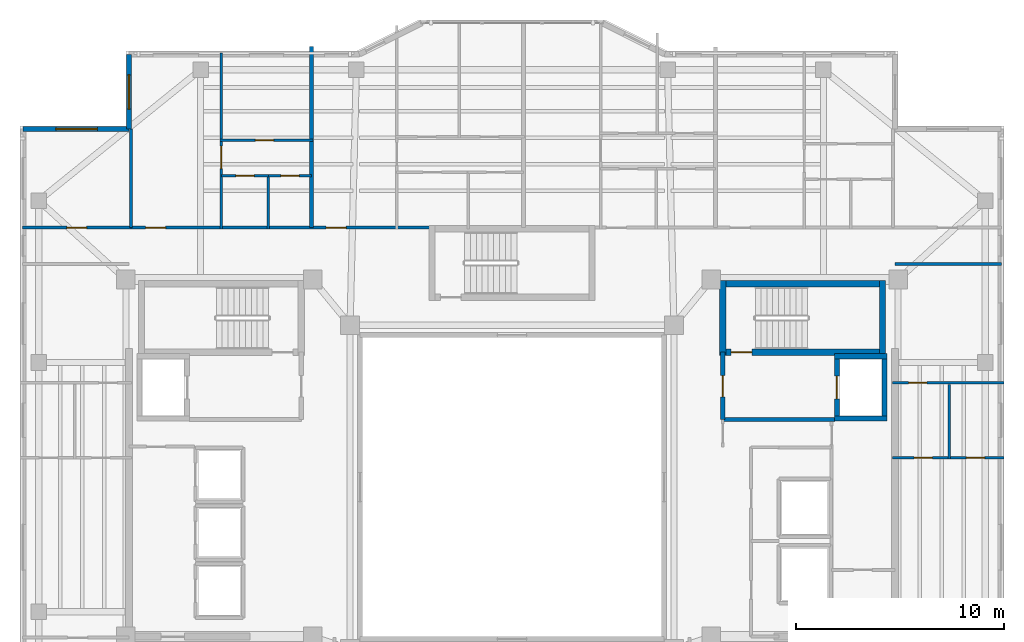
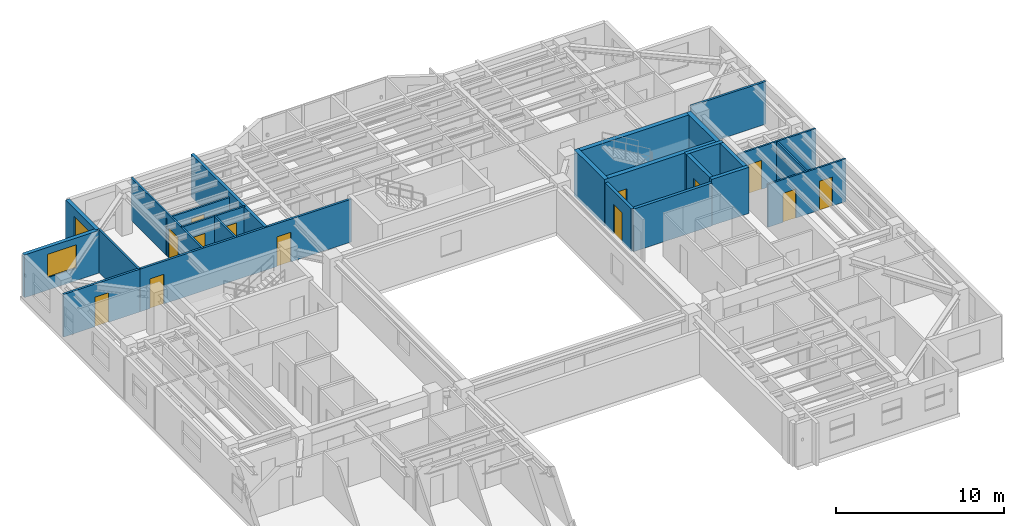
# One storey, part 7 of 12: 25 walls, 13 doors, 2 windows, 15 openings.
"""IFC4 building model written with IfcOpenShell, lengths in metres."""

from ifc_helpers import new_model, si_unit, direction, frame, frame_2d, origin, place, context, subcontext, project, spatial, rectangle, extrude, material, layer, layer_set, type_object, element, fill, save


model = new_model("IFC4")

# Units and contexts
model_context = context("Model", 3, precision=1e-05, world=origin(), true_north=direction((0.0, 1.0)))
body_context = subcontext(model_context, "Body", "Model", "MODEL_VIEW")
ifc_project = project(units=[si_unit("LENGTHUNIT", "METRE"), si_unit("AREAUNIT", "SQUARE_METRE"), si_unit("VOLUMEUNIT", "CUBIC_METRE"), si_unit("PLANEANGLEUNIT", "RADIAN"), si_unit("MASSUNIT", "GRAM", prefix="KILO")], contexts=[model_context])

# Site, building, storey
site_placement = place(None, origin())
site = spatial("IfcSite", under=ifc_project, at=site_placement, CompositionType="ELEMENT")
building_placement = place(site_placement, origin())
building = spatial("IfcBuilding", under=site, at=building_placement, Name="Tarnavaz Court Tower", CompositionType="ELEMENT")
storey_placement = place(building_placement, frame((0.0, 0.0, 203.64990234375)))
storey = spatial("IfcBuildingStorey", under=building, at=storey_placement, Name="L55", CompositionType="ELEMENT", Elevation=203.64990234375)

# Wall, opening, door
ifc_material_1 = material(Name="Concrete C50/60", Category="concrete")
ifc_layer_1 = layer(ifc_material_1, 0.25)
ifc_layer_set_1 = layer_set([ifc_layer_1], Name="Concrete C50/60")
wall_type_1 = type_object("IfcWallType", Name="WL-CORE-250-C50", PredefinedType="SHEAR", material=ifc_layer_set_1)
wall_1_placement = place(storey_placement, frame((15.64990234375, 3.175048828125, 0.0), z_axis=(0.0, 0.0, 1.0), x_axis=(0.0, 1.0, 0.0)))
wall_1 = element("IfcWall", 1, at=wall_1_placement, inside=storey, type_object=wall_type_1, Name="L55 Lift FL-E1 Shaft Wall 033", PredefinedType="SHEAR", context=body_context, shape_type="SweptSolid", body=[
    extrude(rectangle(XDim=3.25, YDim=0.25, at=frame_2d((1.625, 0.0))), origin(), (0.0, 0.0, 1.0), 3.35009765625),
])
opening_1_placement = place(wall_1_placement, frame((1.074951171875, 0.0, 0.0)))
opening_1 = element("IfcOpeningElement", 2, at=opening_1_placement, cuts=wall_1, Name="Opening LD1", PredefinedType="OPENING", context=body_context, shape_type="SweptSolid", body=[
    extrude(rectangle(XDim=1.10009765625, YDim=2.14990234375, at=frame_2d((0.550048828125, 1.074951171875))), frame((0.0, 0.135009765625, 0.0), z_axis=(0.0, -1.0, 0.0), x_axis=(1.0, 0.0, 0.0)), (0.0, 0.0, 1.0), 0.27001953125),
])
ifc_material_2 = material(Name="Stainless Steel", Category="steel")
door_type_1 = type_object("IfcDoorType", Name="DR-LD-1100", OperationType="NOTDEFINED", PredefinedType="DOOR", material=ifc_material_2)
door_1_placement = place(opening_1_placement, origin())
door_1 = element("IfcDoor", 3, at=door_1_placement, inside=storey, type_object=door_type_1, Name="L55 Lift Landing Door LD-FL-E1", OperationType="SLIDING_TO_LEFT", OverallHeight=2.14990234375, OverallWidth=1.10009765625, PredefinedType="DOOR", context=body_context, shape_type="SweptSolid", body=[
    extrude(rectangle(XDim=1.10009765625, YDim=2.14990234375, at=frame_2d((0.550048828125, 1.074951171875))), frame((0.0, 0.02490234375, 0.0), z_axis=(0.0, -1.0, 0.0), x_axis=(1.0, 0.0, 0.0)), (0.0, 0.0, 1.0), 0.050048828125),
])
fill(opening_1, door_1)

# Walls
wall_2_placement = place(storey_placement, frame((17.949951171875, 3.175048828125, 0.0), z_axis=(0.0, 0.0, 1.0), x_axis=(0.0, 1.0, 0.0)))
element("IfcWall", 4, at=wall_2_placement, inside=storey, type_object=wall_type_1, Name="L55 Lift FL-E1 Shaft Wall 034", PredefinedType="SHEAR", context=body_context, shape_type="SweptSolid", body=[
    extrude(rectangle(XDim=3.25, YDim=0.25, at=frame_2d((1.625, 0.0))), origin(), (0.0, 0.0, 1.0), 3.35009765625),
])
for number, where, z_axis, x_axis, name in (
    (5, (15.52490234375, 3.300048828125, 0.0), (0.0, 0.0, 1.0), (1.0, 0.0, 0.0), "L55 Lift FL-E1 Shaft Wall 035"),
    (6, (15.52490234375, 6.300048828125, 0.0), (0.0, 0.0, 1.0), (1.0, 0.0, 0.0), "L55 Lift FL-E1 Shaft Wall 036"),
):
    element("IfcWall", number, at=place(storey_placement, frame(where, z_axis=z_axis, x_axis=x_axis)), inside=storey, type_object=wall_type_1, Name=name, PredefinedType="SHEAR", context=body_context, shape_type="SweptSolid", body=[
        extrude(rectangle(XDim=2.550048828125, YDim=0.25, at=frame_2d((1.27490234375, 0.0))), origin(), (0.0, 0.0, 1.0), 3.35009765625),
    ])
ifc_layer_2 = layer(ifc_material_1, 0.300048828125)
ifc_layer_set_2 = layer_set([ifc_layer_2], Name="Concrete C50/60")
wall_type_2 = type_object("IfcWallType", Name="WL-CORE-300-C50", PredefinedType="SHEAR", material=ifc_layer_set_2)
wall_3_placement = place(storey_placement, frame((10.0, 9.7900390625, 0.0), z_axis=(0.0, 0.0, 1.0), x_axis=(1.0, 0.0, 0.0)))
element("IfcWall", 7, at=wall_3_placement, inside=storey, type_object=wall_type_2, Name="L55 East Stair Core Wall 005", PredefinedType="SHEAR", context=body_context, shape_type="SweptSolid", body=[
    extrude(rectangle(XDim=8.0, YDim=0.300048828125, at=frame_2d((4.0, 0.0))), origin(), (0.0, 0.0, 1.0), 3.35009765625),
])

# Wall, opening, door
wall_4_placement = place(storey_placement, frame((10.0, 6.5, 0.0), z_axis=(0.0, 0.0, 1.0), x_axis=(1.0, 0.0, 0.0)))
wall_4 = element("IfcWall", 8, at=wall_4_placement, inside=storey, type_object=wall_type_2, Name="L55 East Stair Core Wall 006", PredefinedType="SHEAR", context=body_context, shape_type="SweptSolid", body=[
    extrude(rectangle(XDim=8.0, YDim=0.300048828125, at=frame_2d((4.0, 0.0))), origin(), (0.0, 0.0, 1.0), 3.35009765625),
])
opening_2_placement = place(wall_4_placement, frame((0.550048828125, 0.0, 0.0)))
opening_2 = element("IfcOpeningElement", 9, at=opening_2_placement, cuts=wall_4, Name="Opening D01", PredefinedType="OPENING", context=body_context, shape_type="SweptSolid", body=[
    extrude(rectangle(XDim=1.0, YDim=2.14990234375, at=frame_2d((0.5, 1.074951171875))), frame((0.0, 0.159912109375, 0.0), z_axis=(0.0, -1.0, 0.0), x_axis=(1.0, 0.0, 0.0)), (0.0, 0.0, 1.0), 0.320068359375),
])
ifc_material_3 = material(Name="Fire-Rated Hardwood Timber Core", Category="wood")
door_type_2 = type_object("IfcDoorType", Name="DR-FD90-1000", OperationType="NOTDEFINED", PredefinedType="DOOR", material=ifc_material_3)
door_2_placement = place(opening_2_placement, origin())
door_2 = element("IfcDoor", 10, at=door_2_placement, inside=storey, type_object=door_type_2, Name="L55 Stair ST-E1 Exit Door", OperationType="SINGLE_SWING_RIGHT", OverallHeight=2.14990234375, OverallWidth=1.0, PredefinedType="DOOR", context=body_context, shape_type="SweptSolid", body=[
    extrude(rectangle(XDim=1.0, YDim=2.14990234375, at=frame_2d((0.5, 1.074951171875))), frame((0.0, 0.02490234375, 0.0), z_axis=(0.0, -1.0, 0.0), x_axis=(1.0, 0.0, 0.0)), (0.0, 0.0, 1.0), 0.050048828125),
])
fill(opening_2, door_2)

# Walls
for number, where, z_axis, x_axis, name in (
    (11, (10.14990234375, 6.35009765625, 0.0), (0.0, 0.0, 1.0), (0.0, 1.0, 0.0), "L55 East Stair Core Wall 007"),
    (12, (17.85009765625, 6.35009765625, 0.0), (0.0, 0.0, 1.0), (0.0, 1.0, 0.0), "L55 East Stair Core Wall 008"),
):
    element("IfcWall", number, at=place(storey_placement, frame(where, z_axis=z_axis, x_axis=x_axis)), inside=storey, type_object=wall_type_2, Name=name, PredefinedType="SHEAR", context=body_context, shape_type="SweptSolid", body=[
        extrude(rectangle(XDim=3.58984375, YDim=0.300048828125, at=frame_2d((1.794921875, 0.0))), origin(), (0.0, 0.0, 1.0), 3.35009765625),
    ])

# Wall, opening, window
ifc_material_4 = material(Name="Precast Concrete C40/50", Category="concrete")
ifc_layer_3 = layer(ifc_material_4, 0.260009765625)
ifc_layer_set_3 = layer_set([ifc_layer_3], Name="Precast Concrete C40/50")
wall_type_3 = type_object("IfcWallType", Name="WL-EXT-260", PredefinedType="SOLIDWALL", material=ifc_layer_set_3)
wall_5_placement = place(storey_placement, frame((-23.550048828125, 17.25, 0.0), z_axis=(0.0, 0.0, 1.0), x_axis=(1.0, 0.0, 0.0)))
wall_5 = element("IfcWall", 13, at=wall_5_placement, inside=storey, type_object=wall_type_3, Name="L55 Exterior Terracotta Facade Wall 03", PredefinedType="SOLIDWALL", context=body_context, shape_type="SweptSolid", body=[
    extrude(rectangle(XDim=5.10009765625, YDim=0.260009765625, at=frame_2d((2.550048828125, 0.0))), origin(), (0.0, 0.0, 1.0), 3.10009765625),
])
opening_3_placement = place(wall_5_placement, frame((1.574951171875, 0.0, 0.89990234375)))
opening_3 = element("IfcOpeningElement", 14, at=opening_3_placement, cuts=wall_5, Name="Opening W08", PredefinedType="OPENING", context=body_context, shape_type="SweptSolid", body=[
    extrude(rectangle(XDim=2.0, YDim=1.699951171875, at=frame_2d((1.0, 0.85009765625))), frame((0.0, 0.139892578125, 0.0), z_axis=(0.0, -1.0, 0.0), x_axis=(1.0, 0.0, 0.0)), (0.0, 0.0, 1.0), 0.280029296875),
])
ifc_material_5 = material(Name="Double-Glazed Solar Low-E Glass", Category="glass")
window_type_1 = type_object("IfcWindowType", Name="WN-APT-2000", PartitioningType="DOUBLE_PANEL_VERTICAL", PredefinedType="WINDOW", material=ifc_material_5)
window_1_placement = place(opening_3_placement, origin())
window_1 = element("IfcWindow", 15, at=window_1_placement, inside=storey, type_object=window_type_1, Name="L55 North-West Corner Sunroom Study Window", OverallHeight=1.699951171875, OverallWidth=2.0, PartitioningType="SINGLE_PANEL", PredefinedType="WINDOW", context=body_context, shape_type="SweptSolid", body=[
    extrude(rectangle(XDim=2.0, YDim=1.699951171875, at=frame_2d((1.0, 0.85009765625))), frame((0.0, 0.030029296875, 0.0), z_axis=(0.0, -1.0, 0.0), x_axis=(1.0, 0.0, 0.0)), (0.0, 0.0, 1.0), 0.06005859375),
])
fill(opening_3, window_1)

wall_6_placement = place(storey_placement, frame((-18.449951171875, 17.25, 0.0), z_axis=(0.0, 0.0, 1.0), x_axis=(0.0, 1.0, 0.0)))
wall_6 = element("IfcWall", 16, at=wall_6_placement, inside=storey, type_object=wall_type_3, Name="L55 Exterior Terracotta Facade Wall 04", PredefinedType="SOLIDWALL", context=body_context, shape_type="SweptSolid", body=[
    extrude(rectangle(XDim=3.60009765625, YDim=0.260009765625, at=frame_2d((1.800048828125, 0.0))), origin(), (0.0, 0.0, 1.0), 3.10009765625),
])
opening_4_placement = place(wall_6_placement, frame((0.95751953125, 0.0, 0.89990234375)))
opening_4 = element("IfcOpeningElement", 17, at=opening_4_placement, cuts=wall_6, Name="Opening W02", PredefinedType="OPENING", context=body_context, shape_type="SweptSolid", body=[
    extrude(rectangle(XDim=1.64990234375, YDim=1.60009765625, at=frame_2d((0.824951171875, 0.800048828125))), frame((0.0, 0.139892578125, 0.0), z_axis=(0.0, -1.0, 0.0), x_axis=(1.0, 0.0, 0.0)), (0.0, 0.0, 1.0), 0.280029296875),
])
window_type_2 = type_object("IfcWindowType", Name="WN-APT-1650", PartitioningType="DOUBLE_PANEL_VERTICAL", PredefinedType="WINDOW", material=ifc_material_5)
window_2_placement = place(opening_4_placement, origin())
window_2 = element("IfcWindow", 18, at=window_2_placement, inside=storey, type_object=window_type_2, Name="L55 Flat 01 Living and Dining Room Window", OverallHeight=1.60009765625, OverallWidth=1.64990234375, PartitioningType="SINGLE_PANEL", PredefinedType="WINDOW", context=body_context, shape_type="SweptSolid", body=[
    extrude(rectangle(XDim=1.64990234375, YDim=1.60009765625, at=frame_2d((0.824951171875, 0.800048828125))), frame((0.0, 0.030029296875, 0.0), z_axis=(0.0, -1.0, 0.0), x_axis=(1.0, 0.0, 0.0)), (0.0, 0.0, 1.0), 0.06005859375),
])
fill(opening_4, window_2)

# Wall, openings, doors
ifc_material_6 = material(Name="Gypsum Fire-Board on Acoustic Metal Stud", Category="masonry")
ifc_layer_4 = layer(ifc_material_6, 0.14990234375)
ifc_layer_set_4 = layer_set([ifc_layer_4], Name="Gypsum Fire-Board on Acoustic Metal Stud")
wall_type_4 = type_object("IfcWallType", Name="WL-FIRE-150", PredefinedType="PARTITIONING", material=ifc_layer_set_4)
wall_7_placement = place(storey_placement, frame((-18.35009765625, 12.5, 0.0), z_axis=(0.0, 0.0, 1.0), x_axis=(1.0, 0.0, 0.0)))
wall_7 = element("IfcWall", 19, at=wall_7_placement, inside=storey, type_object=wall_type_4, Name="L55 NW Wing Corridor Wall 058", PredefinedType="PARTITIONING", context=body_context, shape_type="SweptSolid", body=[
    extrude(rectangle(XDim=14.5, YDim=0.14990234375, at=frame_2d((7.25, 0.0))), origin(), (0.0, 0.0, 1.0), 3.10009765625),
])
opening_5_placement = place(wall_7_placement, frame((0.699951171875, 0.0, 0.0)))
opening_5 = element("IfcOpeningElement", 20, at=opening_5_placement, cuts=wall_7, Name="Opening D06", PredefinedType="OPENING", context=body_context, shape_type="SweptSolid", body=[
    extrude(rectangle(XDim=0.9599609375, YDim=2.14990234375, at=frame_2d((0.47998046875, 1.074951171875))), frame((0.0, 0.0849609375, 0.0), z_axis=(0.0, -1.0, 0.0), x_axis=(1.0, 0.0, 0.0)), (0.0, 0.0, 1.0), 0.169921875),
])
opening_6_placement = place(wall_7_placement, frame((9.39404296875, 0.0, 0.0)))
opening_6 = element("IfcOpeningElement", 21, at=opening_6_placement, cuts=wall_7, Name="Opening D06", PredefinedType="OPENING", context=body_context, shape_type="SweptSolid", body=[
    extrude(rectangle(XDim=0.9599609375, YDim=2.14990234375, at=frame_2d((0.47998046875, 1.074951171875))), frame((0.0, 0.0849609375, 0.0), z_axis=(0.0, -1.0, 0.0), x_axis=(1.0, 0.0, 0.0)), (0.0, 0.0, 1.0), 0.169921875),
])
door_type_3 = type_object("IfcDoorType", Name="DR-FD60-950", OperationType="NOTDEFINED", PredefinedType="DOOR", material=ifc_material_3)
door_3_placement = place(opening_5_placement, origin())
door_3 = element("IfcDoor", 22, at=door_3_placement, inside=storey, type_object=door_type_3, Name="L55 Flat 01 Entrance Door", OperationType="SINGLE_SWING_RIGHT", OverallHeight=2.14990234375, OverallWidth=0.9599609375, PredefinedType="DOOR", context=body_context, shape_type="SweptSolid", body=[
    extrude(rectangle(XDim=0.9599609375, YDim=2.14990234375, at=frame_2d((0.47998046875, 1.074951171875))), frame((0.0, 0.02490234375, 0.0), z_axis=(0.0, -1.0, 0.0), x_axis=(1.0, 0.0, 0.0)), (0.0, 0.0, 1.0), 0.050048828125),
])
fill(opening_5, door_3)
door_4_placement = place(opening_6_placement, origin())
door_4 = element("IfcDoor", 23, at=door_4_placement, inside=storey, type_object=door_type_3, Name="L55 Flat 02 Entrance Door", OperationType="SINGLE_SWING_LEFT", OverallHeight=2.14990234375, OverallWidth=0.9599609375, PredefinedType="DOOR", context=body_context, shape_type="SweptSolid", body=[
    extrude(rectangle(XDim=0.9599609375, YDim=2.14990234375, at=frame_2d((0.47998046875, 1.074951171875))), frame((0.0, 0.02490234375, 0.0), z_axis=(0.0, -1.0, 0.0), x_axis=(1.0, 0.0, 0.0)), (0.0, 0.0, 1.0), 0.050048828125),
])
fill(opening_6, door_4)

# Wall
wall_8_placement = place(storey_placement, frame((18.449951171875, 10.75, 0.0), z_axis=(0.0, 0.0, 1.0), x_axis=(1.0, 0.0, 0.0)))
element("IfcWall", 24, at=wall_8_placement, inside=storey, type_object=wall_type_4, Name="L55 Interior Partition 106", PredefinedType="PARTITIONING", context=body_context, shape_type="SweptSolid", body=[
    extrude(rectangle(XDim=5.130126953125, YDim=0.14990234375, at=frame_2d((2.56494140625, 0.0))), origin(), (0.0, 0.0, 1.0), 3.10009765625),
])

# Wall, opening, door
wall_9_placement = place(storey_placement, frame((-23.580078125, 12.5, 0.0), z_axis=(0.0, 0.0, 1.0), x_axis=(1.0, 0.0, 0.0)))
wall_9 = element("IfcWall", 25, at=wall_9_placement, inside=storey, type_object=wall_type_4, Name="L55 Interior Partition 111", PredefinedType="PARTITIONING", context=body_context, shape_type="SweptSolid", body=[
    extrude(rectangle(XDim=5.22998046875, YDim=0.14990234375, at=frame_2d((2.614990234375, 0.0))), origin(), (0.0, 0.0, 1.0), 3.10009765625),
])
opening_7_placement = place(wall_9_placement, frame((2.139892578125, 0.0, 0.0)))
opening_7 = element("IfcOpeningElement", 26, at=opening_7_placement, cuts=wall_9, Name="Opening D13", PredefinedType="OPENING", context=body_context, shape_type="SweptSolid", body=[
    extrude(rectangle(XDim=0.949951171875, YDim=2.14990234375, at=frame_2d((0.47509765625, 1.074951171875))), frame((0.0, 0.0849609375, 0.0), z_axis=(0.0, -1.0, 0.0), x_axis=(1.0, 0.0, 0.0)), (0.0, 0.0, 1.0), 0.169921875),
])
ifc_material_7 = material(Name="Engineered Oak Timber", Category="wood")
door_type_4 = type_object("IfcDoorType", Name="DR-INT-950", OperationType="NOTDEFINED", PredefinedType="DOOR", material=ifc_material_7)
door_5_placement = place(opening_7_placement, origin())
door_5 = element("IfcDoor", 27, at=door_5_placement, inside=storey, type_object=door_type_4, Name="L55 NW Sunroom Door", OperationType="SINGLE_SWING_RIGHT", OverallHeight=2.14990234375, OverallWidth=0.949951171875, PredefinedType="DOOR", context=body_context, shape_type="SweptSolid", body=[
    extrude(rectangle(XDim=0.949951171875, YDim=2.14990234375, at=frame_2d((0.47509765625, 1.074951171875))), frame((0.0, 0.02490234375, 0.0), z_axis=(0.0, -1.0, 0.0), x_axis=(1.0, 0.0, 0.0)), (0.0, 0.0, 1.0), 0.050048828125),
])
fill(opening_7, door_5)

# Wall
ifc_material_8 = material(Name="Autoclaved Aerated Concrete Blockwork", Category="masonry")
ifc_layer_5 = layer(ifc_material_8, 0.199951171875)
ifc_layer_set_5 = layer_set([ifc_layer_5], Name="Autoclaved Aerated Concrete Blockwork")
wall_type_5 = type_object("IfcWallType", Name="WL-FIRE-200", PredefinedType="SOLIDWALL", material=ifc_layer_set_5)
wall_10_placement = place(storey_placement, frame((10.14990234375, 3.25, 0.0), z_axis=(0.0, 0.0, 1.0), x_axis=(1.0, 0.0, 0.0)))
element("IfcWall", 28, at=wall_10_placement, inside=storey, type_object=wall_type_5, Name="L55 East Firefighting Lobby Wall 015", PredefinedType="SOLIDWALL", context=body_context, shape_type="SweptSolid", body=[
    extrude(rectangle(XDim=5.400146484375, YDim=0.199951171875, at=frame_2d((2.7001953125, 0.0))), origin(), (0.0, 0.0, 1.0), 3.10009765625),
])

# Wall, opening, door
wall_11_placement = place(storey_placement, frame((10.14990234375, 3.25, 0.0), z_axis=(0.0, 0.0, 1.0), x_axis=(0.0, 1.0, 0.0)))
wall_11 = element("IfcWall", 29, at=wall_11_placement, inside=storey, type_object=wall_type_5, Name="L55 East Firefighting Lobby Wall 016", PredefinedType="SOLIDWALL", context=body_context, shape_type="SweptSolid", body=[
    extrude(rectangle(XDim=3.25, YDim=0.199951171875, at=frame_2d((1.625, 0.0))), origin(), (0.0, 0.0, 1.0), 3.10009765625),
])
opening_8_placement = place(wall_11_placement, frame((1.10009765625, 0.0, 0.0)))
opening_8 = element("IfcOpeningElement", 30, at=opening_8_placement, cuts=wall_11, Name="Opening D05", PredefinedType="OPENING", context=body_context, shape_type="SweptSolid", body=[
    extrude(rectangle(XDim=1.02001953125, YDim=2.14990234375, at=frame_2d((0.510009765625, 1.074951171875))), frame((0.0, 0.10986328125, 0.0), z_axis=(0.0, -1.0, 0.0), x_axis=(1.0, 0.0, 0.0)), (0.0, 0.0, 1.0), 0.219970703125),
])
door_type_5 = type_object("IfcDoorType", Name="DR-FD60-1000", OperationType="NOTDEFINED", PredefinedType="DOOR", material=ifc_material_3)
door_6_placement = place(opening_8_placement, origin())
door_6 = element("IfcDoor", 31, at=door_6_placement, inside=storey, type_object=door_type_5, Name="L55 East Firefighting Lobby Door", OperationType="SINGLE_SWING_LEFT", OverallHeight=2.14990234375, OverallWidth=1.02001953125, PredefinedType="DOOR", context=body_context, shape_type="SweptSolid", body=[
    extrude(rectangle(XDim=1.02001953125, YDim=2.14990234375, at=frame_2d((0.510009765625, 1.074951171875))), frame((0.0, 0.02490234375, 0.0), z_axis=(0.0, -1.0, 0.0), x_axis=(1.0, 0.0, 0.0)), (0.0, 0.0, 1.0), 0.050048828125),
])
fill(opening_8, door_6)

# Wall
wall_12_placement = place(storey_placement, frame((-9.656005859375, 12.5, 0.0), z_axis=(0.0, 0.0, 1.0), x_axis=(0.0, 1.0, 0.0)))
element("IfcWall", 32, at=wall_12_placement, inside=storey, type_object=wall_type_5, Name="L55 Party Wall 065", PredefinedType="SOLIDWALL", context=body_context, shape_type="SweptSolid", body=[
    extrude(rectangle(XDim=8.73193359375, YDim=0.199951171875, at=frame_2d((4.365966796875, 0.0))), origin(), (0.0, 0.0, 1.0), 3.10009765625),
])

# Wall, opening, door
ifc_material_9 = material(Name="Moisture-Resistant Gypsum Board Partition", Category="masonry")
ifc_layer_6 = layer(ifc_material_9, 0.1201171875)
ifc_layer_set_6 = layer_set([ifc_layer_6], Name="Moisture-Resistant Gypsum Board Partition")
wall_type_6 = type_object("IfcWallType", Name="WL-PART-120", PredefinedType="PARTITIONING", material=ifc_layer_set_6)
wall_13_placement = place(storey_placement, frame((-14.0029296875, 12.43994140625, 0.0), z_axis=(0.0, 0.0, 1.0), x_axis=(0.0, 1.0, 0.0)))
wall_13 = element("IfcWall", 33, at=wall_13_placement, inside=storey, type_object=wall_type_6, Name="L55 Interior Partition 066", PredefinedType="PARTITIONING", context=body_context, shape_type="SweptSolid", body=[
    extrude(rectangle(XDim=8.4599609375, YDim=0.1201171875, at=frame_2d((4.22998046875, 0.0))), origin(), (0.0, 0.0, 1.0), 3.10009765625),
])
opening_9_placement = place(wall_13_placement, frame((2.905029296875, 0.0, 0.0)))
opening_9 = element("IfcOpeningElement", 34, at=opening_9_placement, cuts=wall_13, Name="Opening D12", PredefinedType="OPENING", context=body_context, shape_type="SweptSolid", body=[
    extrude(rectangle(XDim=1.080078125, YDim=2.14990234375, at=frame_2d((0.5400390625, 1.074951171875))), frame((0.0, 0.070068359375, 0.0), z_axis=(0.0, -1.0, 0.0), x_axis=(1.0, 0.0, 0.0)), (0.0, 0.0, 1.0), 0.14013671875),
])
door_type_6 = type_object("IfcDoorType", Name="DR-INT-1100", OperationType="NOTDEFINED", PredefinedType="DOOR", material=ifc_material_7)
door_7_placement = place(opening_9_placement, origin())
door_7 = element("IfcDoor", 35, at=door_7_placement, inside=storey, type_object=door_type_6, Name="L55 Flat 01 Foyer Door", OperationType="SINGLE_SWING_LEFT", OverallHeight=2.14990234375, OverallWidth=1.080078125, PredefinedType="DOOR", context=body_context, shape_type="SweptSolid", body=[
    extrude(rectangle(XDim=1.080078125, YDim=2.14990234375, at=frame_2d((0.5400390625, 1.074951171875))), frame((0.0, 0.02490234375, 0.0), z_axis=(0.0, -1.0, 0.0), x_axis=(1.0, 0.0, 0.0)), (0.0, 0.0, 1.0), 0.050048828125),
])
fill(opening_9, door_7)

wall_14_placement = place(storey_placement, frame((-14.0029296875, 15.0, 0.0), z_axis=(0.0, 0.0, 1.0), x_axis=(1.0, 0.0, 0.0)))
wall_14 = element("IfcWall", 36, at=wall_14_placement, inside=storey, type_object=wall_type_6, Name="L55 Interior Partition 067", PredefinedType="PARTITIONING", context=body_context, shape_type="SweptSolid", body=[
    extrude(rectangle(XDim=2.27197265625, YDim=0.1201171875, at=frame_2d((1.135986328125, 0.0))), origin(), (0.0, 0.0, 1.0), 3.10009765625),
])
opening_10_placement = place(wall_14_placement, frame((0.696044921875, 0.0, 0.0)))
opening_10 = element("IfcOpeningElement", 37, at=opening_10_placement, cuts=wall_14, Name="Opening D14", PredefinedType="OPENING", context=body_context, shape_type="SweptSolid", body=[
    extrude(rectangle(XDim=0.8798828125, YDim=2.10009765625, at=frame_2d((0.43994140625, 1.050048828125))), frame((0.0, 0.070068359375, 0.0), z_axis=(0.0, -1.0, 0.0), x_axis=(1.0, 0.0, 0.0)), (0.0, 0.0, 1.0), 0.14013671875),
])
door_type_7 = type_object("IfcDoorType", Name="DR-INT-900", OperationType="NOTDEFINED", PredefinedType="DOOR", material=ifc_material_7)
door_8_placement = place(opening_10_placement, origin())
door_8 = element("IfcDoor", 38, at=door_8_placement, inside=storey, type_object=door_type_7, Name="L55 Flat 01 Kitchen Door", OperationType="SINGLE_SWING_RIGHT", OverallHeight=2.10009765625, OverallWidth=0.8798828125, PredefinedType="DOOR", context=body_context, shape_type="SweptSolid", body=[
    extrude(rectangle(XDim=0.8798828125, YDim=2.10009765625, at=frame_2d((0.43994140625, 1.050048828125))), frame((0.0, 0.02490234375, 0.0), z_axis=(0.0, -1.0, 0.0), x_axis=(1.0, 0.0, 0.0)), (0.0, 0.0, 1.0), 0.050048828125),
])
fill(opening_10, door_8)

wall_15_placement = place(storey_placement, frame((-11.73095703125, 15.0, 0.0), z_axis=(0.0, 0.0, 1.0), x_axis=(1.0, 0.0, 0.0)))
wall_15 = element("IfcWall", 39, at=wall_15_placement, inside=storey, type_object=wall_type_6, Name="L55 Interior Partition 068", PredefinedType="PARTITIONING", context=body_context, shape_type="SweptSolid", body=[
    extrude(rectangle(XDim=2.074951171875, YDim=0.1201171875, at=frame_2d((1.03759765625, 0.0))), origin(), (0.0, 0.0, 1.0), 3.10009765625),
])
opening_11_placement = place(wall_15_placement, frame((0.596923828125, 0.0, 0.0)))
opening_11 = element("IfcOpeningElement", 40, at=opening_11_placement, cuts=wall_15, Name="Opening D14", PredefinedType="OPENING", context=body_context, shape_type="SweptSolid", body=[
    extrude(rectangle(XDim=0.8798828125, YDim=2.10009765625, at=frame_2d((0.43994140625, 1.050048828125))), frame((0.0, 0.070068359375, 0.0), z_axis=(0.0, -1.0, 0.0), x_axis=(1.0, 0.0, 0.0)), (0.0, 0.0, 1.0), 0.14013671875),
])
door_9_placement = place(opening_11_placement, origin())
door_9 = element("IfcDoor", 41, at=door_9_placement, inside=storey, type_object=door_type_7, Name="L55 Flat 01 Bathroom Door", OperationType="SINGLE_SWING_LEFT", OverallHeight=2.10009765625, OverallWidth=0.8798828125, PredefinedType="DOOR", context=body_context, shape_type="SweptSolid", body=[
    extrude(rectangle(XDim=0.8798828125, YDim=2.10009765625, at=frame_2d((0.43994140625, 1.050048828125))), frame((0.0, 0.02490234375, 0.0), z_axis=(0.0, -1.0, 0.0), x_axis=(1.0, 0.0, 0.0)), (0.0, 0.0, 1.0), 0.050048828125),
])
fill(opening_11, door_9)

wall_16_placement = place(storey_placement, frame((-14.06298828125, 16.7099609375, 0.0), z_axis=(0.0, 0.0, 1.0), x_axis=(1.0, 0.0, 0.0)))
wall_16 = element("IfcWall", 42, at=wall_16_placement, inside=storey, type_object=wall_type_6, Name="L55 Interior Partition 069", PredefinedType="PARTITIONING", context=body_context, shape_type="SweptSolid", body=[
    extrude(rectangle(XDim=4.467041015625, YDim=0.1201171875, at=frame_2d((2.2333984375, 0.0))), origin(), (0.0, 0.0, 1.0), 2.72509765625),
])
opening_12_placement = place(wall_16_placement, frame((1.702880859375, 0.0, 0.0)))
opening_12 = element("IfcOpeningElement", 43, at=opening_12_placement, cuts=wall_16, Name="Opening D14", PredefinedType="OPENING", context=body_context, shape_type="SweptSolid", body=[
    extrude(rectangle(XDim=0.8798828125, YDim=2.10009765625, at=frame_2d((0.43994140625, 1.050048828125))), frame((0.0, 0.070068359375, 0.0), z_axis=(0.0, -1.0, 0.0), x_axis=(1.0, 0.0, 0.0)), (0.0, 0.0, 1.0), 0.14013671875),
])
door_10_placement = place(opening_12_placement, origin())
door_10 = element("IfcDoor", 44, at=door_10_placement, inside=storey, type_object=door_type_7, Name="L55 Flat 01 Bedroom 1 Door", OperationType="SINGLE_SWING_RIGHT", OverallHeight=2.10009765625, OverallWidth=0.8798828125, PredefinedType="DOOR", context=body_context, shape_type="SweptSolid", body=[
    extrude(rectangle(XDim=0.8798828125, YDim=2.10009765625, at=frame_2d((0.43994140625, 1.050048828125))), frame((0.0, 0.02490234375, 0.0), z_axis=(0.0, -1.0, 0.0), x_axis=(1.0, 0.0, 0.0)), (0.0, 0.0, 1.0), 0.050048828125),
])
fill(opening_12, door_10)

# Wall
wall_17_placement = place(storey_placement, frame((-11.73095703125, 12.43994140625, 0.0), z_axis=(0.0, 0.0, 1.0), x_axis=(0.0, 1.0, 0.0)))
element("IfcWall", 45, at=wall_17_placement, inside=storey, type_object=wall_type_6, Name="L55 Interior Partition 070", PredefinedType="PARTITIONING", context=body_context, shape_type="SweptSolid", body=[
    extrude(rectangle(XDim=2.6201171875, YDim=0.1201171875, at=frame_2d((1.31005859375, 0.0))), origin(), (0.0, 0.0, 1.0), 3.10009765625),
])

# Wall, openings, doors
wall_18_placement = place(storey_placement, frame((18.330078125, 1.419921875, 0.0), z_axis=(0.0, 0.0, 1.0), x_axis=(1.0, 0.0, 0.0)))
wall_18 = element("IfcWall", 46, at=wall_18_placement, inside=storey, type_object=wall_type_6, Name="L55 Interior Partition 118", PredefinedType="PARTITIONING", context=body_context, shape_type="SweptSolid", body=[
    extrude(rectangle(XDim=5.369873046875, YDim=0.1201171875, at=frame_2d((2.68505859375, 0.0))), origin(), (0.0, 0.0, 1.0), 3.10009765625),
])
opening_13_placement = place(wall_18_placement, frame((1.0380859375, 0.0, 0.0)))
opening_13 = element("IfcOpeningElement", 47, at=opening_13_placement, cuts=wall_18, Name="Opening D14", PredefinedType="OPENING", context=body_context, shape_type="SweptSolid", body=[
    extrude(rectangle(XDim=0.8798828125, YDim=2.10009765625, at=frame_2d((0.43994140625, 1.050048828125))), frame((0.0, 0.070068359375, 0.0), z_axis=(0.0, -1.0, 0.0), x_axis=(1.0, 0.0, 0.0)), (0.0, 0.0, 1.0), 0.14013671875),
])
opening_14_placement = place(wall_18_placement, frame((3.552978515625, 0.0, 0.0)))
opening_14 = element("IfcOpeningElement", 48, at=opening_14_placement, cuts=wall_18, Name="Opening D14", PredefinedType="OPENING", context=body_context, shape_type="SweptSolid", body=[
    extrude(rectangle(XDim=0.8798828125, YDim=2.10009765625, at=frame_2d((0.43994140625, 1.050048828125))), frame((0.0, 0.070068359375, 0.0), z_axis=(0.0, -1.0, 0.0), x_axis=(1.0, 0.0, 0.0)), (0.0, 0.0, 1.0), 0.14013671875),
])
door_11_placement = place(opening_13_placement, origin())
door_11 = element("IfcDoor", 49, at=door_11_placement, inside=storey, type_object=door_type_7, Name="L55 Flat 08 Kitchen Door", OperationType="SINGLE_SWING_LEFT", OverallHeight=2.10009765625, OverallWidth=0.8798828125, PredefinedType="DOOR", context=body_context, shape_type="SweptSolid", body=[
    extrude(rectangle(XDim=0.8798828125, YDim=2.10009765625, at=frame_2d((0.43994140625, 1.050048828125))), frame((0.0, 0.02490234375, 0.0), z_axis=(0.0, -1.0, 0.0), x_axis=(1.0, 0.0, 0.0)), (0.0, 0.0, 1.0), 0.050048828125),
])
fill(opening_13, door_11)
door_12_placement = place(opening_14_placement, origin())
door_12 = element("IfcDoor", 50, at=door_12_placement, inside=storey, type_object=door_type_7, Name="L55 Flat 08 Bathroom Door", OperationType="SINGLE_SWING_RIGHT", OverallHeight=2.10009765625, OverallWidth=0.8798828125, PredefinedType="DOOR", context=body_context, shape_type="SweptSolid", body=[
    extrude(rectangle(XDim=0.8798828125, YDim=2.10009765625, at=frame_2d((0.43994140625, 1.050048828125))), frame((0.0, 0.02490234375, 0.0), z_axis=(0.0, -1.0, 0.0), x_axis=(1.0, 0.0, 0.0)), (0.0, 0.0, 1.0), 0.050048828125),
])
fill(opening_14, door_12)

# Wall, opening, door
wall_19_placement = place(storey_placement, frame((18.330078125, 5.02001953125, 0.0), z_axis=(0.0, 0.0, 1.0), x_axis=(1.0, 0.0, 0.0)))
wall_19 = element("IfcWall", 51, at=wall_19_placement, inside=storey, type_object=wall_type_6, Name="L55 Interior Partition 119", PredefinedType="PARTITIONING", context=body_context, shape_type="SweptSolid", body=[
    extrude(rectangle(XDim=5.369873046875, YDim=0.1201171875, at=frame_2d((2.68505859375, 0.0))), origin(), (0.0, 0.0, 1.0), 3.10009765625),
])
opening_15_placement = place(wall_19_placement, frame((0.77001953125, 0.0, 0.0)))
opening_15 = element("IfcOpeningElement", 52, at=opening_15_placement, cuts=wall_19, Name="Opening D14", PredefinedType="OPENING", context=body_context, shape_type="SweptSolid", body=[
    extrude(rectangle(XDim=0.8798828125, YDim=2.10009765625, at=frame_2d((0.43994140625, 1.050048828125))), frame((0.0, 0.070068359375, 0.0), z_axis=(0.0, -1.0, 0.0), x_axis=(1.0, 0.0, 0.0)), (0.0, 0.0, 1.0), 0.14013671875),
])
door_13_placement = place(opening_15_placement, origin())
door_13 = element("IfcDoor", 53, at=door_13_placement, inside=storey, type_object=door_type_7, Name="L55 Flat 08 Study Door", OperationType="SINGLE_SWING_LEFT", OverallHeight=2.10009765625, OverallWidth=0.8798828125, PredefinedType="DOOR", context=body_context, shape_type="SweptSolid", body=[
    extrude(rectangle(XDim=0.8798828125, YDim=2.10009765625, at=frame_2d((0.43994140625, 1.050048828125))), frame((0.0, 0.02490234375, 0.0), z_axis=(0.0, -1.0, 0.0), x_axis=(1.0, 0.0, 0.0)), (0.0, 0.0, 1.0), 0.050048828125),
])
fill(opening_15, door_13)

# Walls
wall_20_placement = place(storey_placement, frame((21.06494140625, 1.360107421875, 0.0), z_axis=(0.0, 0.0, 1.0), x_axis=(0.0, 1.0, 0.0)))
element("IfcWall", 54, at=wall_20_placement, inside=storey, type_object=wall_type_6, Name="L55 Interior Partition 120", PredefinedType="PARTITIONING", context=body_context, shape_type="SweptSolid", body=[
    extrude(rectangle(XDim=3.579833984375, YDim=0.1201171875, at=frame_2d((1.7900390625, 0.0))), origin(), (0.0, 0.0, 1.0), 3.10009765625),
])
ifc_material_10 = material(Name="Gypsum Plasterboard Acoustic Partition", Category="masonry")
ifc_layer_7 = layer(ifc_material_10, 0.139892578125)
ifc_layer_set_7 = layer_set([ifc_layer_7], Name="Gypsum Plasterboard Acoustic Partition")
wall_type_7 = type_object("IfcWallType", Name="WL-PART-150", PredefinedType="PARTITIONING", material=ifc_layer_set_7)
wall_21_placement = place(storey_placement, frame((-18.35009765625, 12.5, 0.0), z_axis=(0.0, 0.0, 1.0), x_axis=(0.0, 1.0, 0.0)))
element("IfcWall", 55, at=wall_21_placement, inside=storey, type_object=wall_type_7, Name="L55 Interior Partition 109", PredefinedType="PARTITIONING", context=body_context, shape_type="SweptSolid", body=[
    extrude(rectangle(XDim=4.75, YDim=0.139892578125, at=frame_2d((2.375, 0.0))), origin(), (0.0, 0.0, 1.0), 3.10009765625),
])

save(model, "model.ifc")
